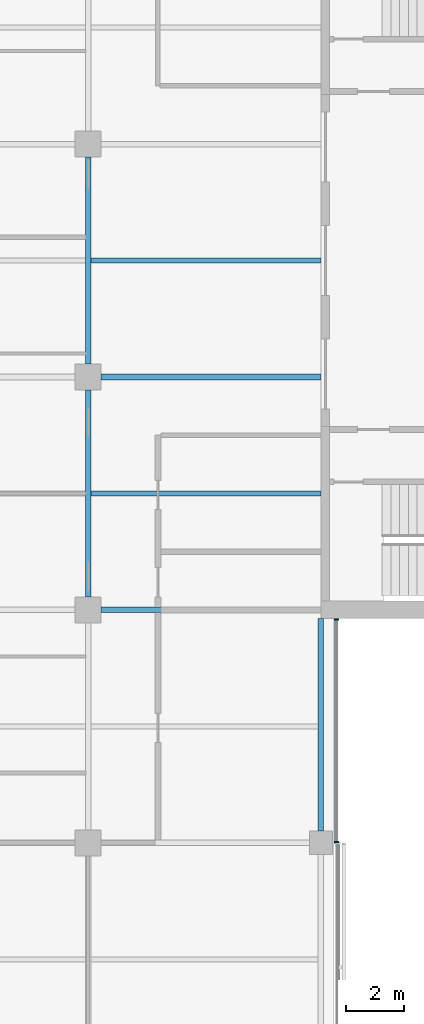
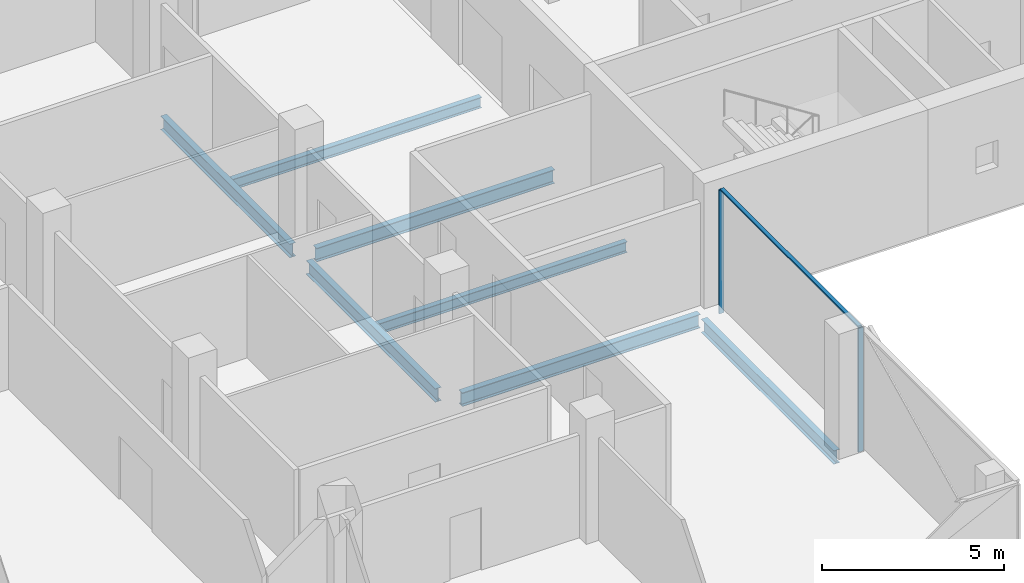
# One storey, part 4 of 15: 7 beams, 3 members, 1 element without a shape of its own.
"""IFC4 building model written with IfcOpenShell, lengths in metres."""

import ifcopenshell
import ifcopenshell.guid

model = None  # the IFC model being written
_history = None  # IfcOwnerHistory: only IFC2X3 demands one
_inside = {}  # id of a spatial element -> (the spatial element, [elements in it])
_under = {}  # id of a project, library or spatial element -> (it, [spatial elements below it])
_declared = {}  # id of a project -> (the project, [libraries it declares])
_typed = {}  # id of a type object -> (the type object, [elements of that type])
_made_of = {}  # id of a material, layer set ... -> (it, [elements and type objects made of it])


def new_model(schema):
    """Start an empty IFC model of exactly this schema.

    Asked for "IFC4X3", IfcOpenShell would pick the latest addendum, in which some entities
    have other attributes; the version numbers below select the first issue.
    IFC2X3 requires an IfcOwnerHistory on every rooted entity: one is made here for all.
    """
    global model, _history
    if schema == "IFC4X3":
        model = ifcopenshell.file(schema_version=(4, 3, 0, 0))
    else:
        model = ifcopenshell.file(schema=schema)
    _inside.clear()
    _under.clear()
    _declared.clear()
    _typed.clear()
    _made_of.clear()
    _history = None
    if model.schema == "IFC2X3":
        org = make("IfcOrganization", Name="unknown")
        user = make(
            "IfcPersonAndOrganization",
            ThePerson=make("IfcPerson", FamilyName="unknown"),
            TheOrganization=org,
        )
        app = make(
            "IfcApplication",
            ApplicationDeveloper=org,
            Version="unknown",
            ApplicationFullName="unknown",
            ApplicationIdentifier="unknown",
        )
        _history = make(
            "IfcOwnerHistory",
            OwningUser=user,
            OwningApplication=app,
            ChangeAction="ADDED",
            CreationDate=0,
        )
    return model


def make(cls, **values):
    """One entity of the class cls with the attributes given. An attribute that is None is left unset."""
    return model.create_entity(
        cls, **{name: value for name, value in values.items() if value is not None}
    )


def rooted(cls, **values):
    """An entity with a GlobalId (a new one), such as an element, a storey or a relation."""
    return make(cls, GlobalId=ifcopenshell.guid.new(), OwnerHistory=_history, **values)


def si_unit(unit_type, name, prefix=None):
    """IfcSIUnit, for example si_unit("LENGTHUNIT", "METRE", prefix="MILLI")."""
    return make("IfcSIUnit", UnitType=unit_type, Prefix=prefix, Name=name)


def assignment(units):
    """IfcUnitAssignment: the units of a project."""
    return None if units is None else make("IfcUnitAssignment", Units=units)


def point(xyz):
    """IfcCartesianPoint."""
    return None if xyz is None else make("IfcCartesianPoint", Coordinates=xyz)


def direction(xyz):
    """IfcDirection."""
    return None if xyz is None else make("IfcDirection", DirectionRatios=xyz)


def frame(location, z_axis=None, x_axis=None):
    """IfcAxis2Placement3D, a coordinate frame: its origin and axes. An axis left out is left unset."""
    return make(
        "IfcAxis2Placement3D",
        Location=point(location),
        Axis=direction(z_axis),
        RefDirection=direction(x_axis),
    )


def frame_2d(location, x_axis=None):
    """IfcAxis2Placement2D, a coordinate frame in the plane: its origin and x axis."""
    return make(
        "IfcAxis2Placement2D", Location=point(location), RefDirection=direction(x_axis)
    )


def origin():
    """The frame at (0, 0, 0) with its axes left unset."""
    return frame((0.0, 0.0, 0.0))


def origin_2d():
    """The frame at (0, 0) in the plane with its x axis left unset."""
    return frame_2d((0.0, 0.0))


def place(relative_to, where):
    """IfcLocalPlacement: puts the frame where relative to a parent placement (None: the world)."""
    return make(
        "IfcLocalPlacement", PlacementRelTo=relative_to, RelativePlacement=where
    )


def context(
    kind, dimensions, precision=None, world=None, true_north=None, identifier=None
):
    """IfcGeometricRepresentationContext, for example the 3D "Model" context."""
    return make(
        "IfcGeometricRepresentationContext",
        ContextIdentifier=identifier,
        ContextType=kind,
        CoordinateSpaceDimension=dimensions,
        Precision=precision,
        WorldCoordinateSystem=world,
        TrueNorth=true_north,
    )


def subcontext(parent, identifier, kind, view, scale=None):
    """IfcGeometricRepresentationSubContext, for example "Body" below "Model"."""
    return make(
        "IfcGeometricRepresentationSubContext",
        ContextIdentifier=identifier,
        ContextType=kind,
        ParentContext=parent,
        TargetScale=scale,
        TargetView=view,
    )


def project(units=None, contexts=None):
    """IfcProject with its units and contexts."""
    return rooted(
        "IfcProject",
        Name="project",
        RepresentationContexts=contexts,
        UnitsInContext=assignment(units),
    )


def spatial(cls, under=None, at=None, **own):
    """A site, building, storey or space (cls), placed at a placement, below another one or the project."""
    s = rooted(cls, ObjectPlacement=at, **own)
    if under is not None:
        _under.setdefault(under.id(), (under, []))[1].append(s)
    return s


def profile(cls, at=None, kind="AREA", **sizes):
    """A parametric profile (cls). Its sizes go by their IFC names, for example OverallWidth=200.0."""
    return make(cls, ProfileType=kind, Position=at, **sizes)


def rectangle(**sizes):
    """IfcRectangleProfileDef."""
    return profile("IfcRectangleProfileDef", **sizes)


def i_section(**sizes):
    """IfcIShapeProfileDef."""
    return profile("IfcIShapeProfileDef", **sizes)


def extrude(swept, where, along, depth):
    """IfcExtrudedAreaSolid: the profile swept, set in the frame where, extruded along a direction by depth."""
    return make(
        "IfcExtrudedAreaSolid",
        SweptArea=swept,
        Position=where,
        ExtrudedDirection=direction(along),
        Depth=depth,
    )


def shape(context_of_items, identifier, shape_type, items):
    """IfcShapeRepresentation: the items that make up one representation, for example the "Body"."""
    return make(
        "IfcShapeRepresentation",
        ContextOfItems=context_of_items,
        RepresentationIdentifier=identifier,
        RepresentationType=shape_type,
        Items=items,
    )


def material(Name=None, Category=None):
    """IfcMaterial."""
    return make("IfcMaterial", Name=Name, Category=Category)


def material_profile(
    of_material, cross_section, Name=None, Category=None, Priority=None
):
    """IfcMaterialProfile: a cross section and its material."""
    return make(
        "IfcMaterialProfile",
        Name=Name,
        Material=of_material,
        Profile=cross_section,
        Priority=Priority,
        Category=Category,
    )


def profile_set(profiles, Name=None, composite=None):
    """IfcMaterialProfileSet."""
    return make(
        "IfcMaterialProfileSet",
        Name=Name,
        MaterialProfiles=profiles,
        CompositeProfile=composite,
    )


def made_of(thing, what):
    """Note that an element or type object is made of a material, layer set ...; save() writes the relation."""
    if what is not None:
        _made_of.setdefault(what.id(), (what, []))[1].append(thing)
    return thing


def type_object(cls, material=None, **own):
    """A type object (cls), such as IfcWallType, which elements share."""
    return made_of(rooted(cls, **own), material)


def element(
    cls,
    number,
    at=None,
    inside=None,
    cuts=None,
    type_object=None,
    material=None,
    context=None,
    identifier="Body",
    shape_type=None,
    held_by="IfcProductDefinitionShape",
    body=None,
    shapes=None,
    **own,
):
    """One element of the class cls, such as IfcWall. Its Tag is "e" and its number.

    at: its placement. inside: the storey or other place that contains it. cuts: it is an
    opening in that element (IfcRelVoidsElement). A single representation is given by context,
    identifier, shape_type and body (its items); several are given by shapes. held_by: the class
    of the entity that holds the representations. save() writes the other relations.
    """
    e = rooted(cls, Tag="e%d" % number, ObjectPlacement=at, **own)
    if body is not None:
        shapes = [shape(context, identifier, shape_type, body)]
    if shapes is not None:
        e.Representation = make(held_by, Representations=shapes)
    if inside is not None:
        _inside.setdefault(inside.id(), (inside, []))[1].append(e)
    if cuts is not None:
        rooted(
            "IfcRelVoidsElement", RelatingBuildingElement=cuts, RelatedOpeningElement=e
        )
    if type_object is not None:
        _typed.setdefault(type_object.id(), (type_object, []))[1].append(e)
    return made_of(e, material)


def aggregate(whole, parts):
    """IfcRelAggregates: a whole, such as a stair, and the parts it consists of."""
    return rooted("IfcRelAggregates", RelatingObject=whole, RelatedObjects=parts)


def save(model, path):
    """Write the relations noted so far, then the file.

    IfcRelAggregates (storeys below a building ...), IfcRelContainedInSpatialStructure (elements
    in a storey), IfcRelDefinesByType, IfcRelAssociatesMaterial and IfcRelDeclares: one each for
    every whole, place, type object, material and project.
    """
    for whole, parts in _under.values():
        aggregate(whole, parts)
    for where, things in _inside.values():
        rooted(
            "IfcRelContainedInSpatialStructure",
            RelatedElements=things,
            RelatingStructure=where,
        )
    for kind, things in _typed.values():
        rooted("IfcRelDefinesByType", RelatedObjects=things, RelatingType=kind)
    for what, things in _made_of.values():
        rooted("IfcRelAssociatesMaterial", RelatedObjects=things, RelatingMaterial=what)
    for by, libraries in _declared.values():
        rooted("IfcRelDeclares", RelatingContext=by, RelatedDefinitions=libraries)
    model.write(path)


model = new_model("IFC4")

# Units and contexts
model_context = context("Model", 3, precision=1e-05, world=origin(), true_north=direction((0.0, 1.0)))
body_context = subcontext(model_context, "Body", "Model", "MODEL_VIEW")
ifc_project = project(units=[si_unit("LENGTHUNIT", "METRE"), si_unit("AREAUNIT", "SQUARE_METRE"), si_unit("VOLUMEUNIT", "CUBIC_METRE"), si_unit("PLANEANGLEUNIT", "RADIAN"), si_unit("MASSUNIT", "GRAM", prefix="KILO")], contexts=[model_context])

# Site, building, storey
site_placement = place(None, origin())
site = spatial("IfcSite", under=ifc_project, at=site_placement, CompositionType="ELEMENT")
building_placement = place(site_placement, origin())
building = spatial("IfcBuilding", under=site, at=building_placement, Name="Crosswind Convention Tower", CompositionType="ELEMENT")
storey_placement = place(building_placement, frame((0.0, 0.0, 191.5)))
storey = spatial("IfcBuildingStorey", under=building, at=storey_placement, Name="L40", CompositionType="ELEMENT", Elevation=191.5)

# Beams
ifc_material_1 = material(Name="Steel S355", Category="steel")
ifc_material_profile_1 = material_profile(ifc_material_1, i_section(OverallWidth=0.18994140625, OverallDepth=0.45361328125, WebThickness=0.008544921875, FlangeThickness=0.0126953125, FilletRadius=0.01025390625, at=origin_2d()), Name="UB 457x191x67")
ifc_profile_set_1 = profile_set([ifc_material_profile_1], Name="Steel S355")
beam_type_1 = type_object("IfcBeamType", Name="Edge beam UB 457x191x67", PredefinedType="SPANDREL", material=ifc_profile_set_1)
beam_placement = place(storey_placement, frame((137.0, 80.39990234375, -0.52685546875), z_axis=(0.0, 1.0, 0.0), x_axis=(-1.0, 0.0, 0.0)))
element("IfcBeam", 1, at=beam_placement, inside=storey, type_object=beam_type_1, Name="B16 L40 edge beam 12", PredefinedType="SPANDREL", context=body_context, shape_type="SweptSolid", body=[
    extrude(i_section(OverallWidth=0.18994140625, OverallDepth=0.45361328125, WebThickness=0.008544921875, FlangeThickness=0.0126953125, FilletRadius=0.01025390625, at=origin_2d()), origin(), (0.0, 0.0, 1.0), 7.300048828125),
])
ifc_material_profile_2 = material_profile(ifc_material_1, i_section(OverallWidth=0.1904296875, OverallDepth=0.457275390625, WebThickness=0.009033203125, FlangeThickness=0.014404296875, FilletRadius=0.01025390625, at=origin_2d()), Name="UB 457x191x75")
ifc_profile_set_2 = profile_set([ifc_material_profile_2], Name="Steel S355")
beam_type_2 = type_object("IfcBeamType", Name="Girder UB 457x191x75", PredefinedType="BEAM", material=ifc_profile_set_2)
for number, where, z_axis, x_axis, name in (
    (2, (129.0, 88.449951171875, -0.528564453125), (0.0, 1.0, 0.0), (-1.0, 0.0, 0.0), "B2 L40 girder 18"),
    (3, (129.0, 96.449951171875, -0.528564453125), (0.0, 1.0, 0.0), (-1.0, 0.0, 0.0), "B2 L40 girder 19"),
):
    element("IfcBeam", number, at=place(storey_placement, frame(where, z_axis=z_axis, x_axis=x_axis)), inside=storey, type_object=beam_type_2, Name=name, PredefinedType="BEAM", context=body_context, shape_type="SweptSolid", body=[
        extrude(i_section(OverallWidth=0.1904296875, OverallDepth=0.457275390625, WebThickness=0.009033203125, FlangeThickness=0.014404296875, FilletRadius=0.01025390625, at=origin_2d()), origin(), (0.0, 0.0, 1.0), 7.10009765625),
    ])
ifc_material_profile_3 = material_profile(ifc_material_1, i_section(OverallWidth=0.19140625, OverallDepth=0.460205078125, WebThickness=0.010009765625, FlangeThickness=0.01611328125, FilletRadius=0.01025390625, at=origin_2d()), Name="UB 457x191x82")
ifc_profile_set_3 = profile_set([ifc_material_profile_3], Name="Steel S355")
beam_type_3 = type_object("IfcBeamType", Name="Girder at core wall UB 457x191x82", PredefinedType="BEAM", material=ifc_profile_set_3)
for number, where, z_axis, x_axis, name in (
    (4, (129.449951171875, 88.0, -0.530029296875), (1.0, 0.0, 0.0), (0.0, 1.0, 0.0), "B23 L40 girder at core wall 5"),
    (5, (129.449951171875, 96.0, -0.530029296875), (1.0, 0.0, 0.0), (0.0, 1.0, 0.0), "B23 L40 girder at core wall 6"),
):
    element("IfcBeam", number, at=place(storey_placement, frame(where, z_axis=z_axis, x_axis=x_axis)), inside=storey, type_object=beam_type_3, Name=name, PredefinedType="BEAM", context=body_context, shape_type="SweptSolid", body=[
        extrude(i_section(OverallWidth=0.19140625, OverallDepth=0.460205078125, WebThickness=0.010009765625, FlangeThickness=0.01611328125, FilletRadius=0.01025390625, at=origin_2d()), origin(), (0.0, 0.0, 1.0), 7.550048828125),
    ])

# Curtain wall, members
ifc_material_2 = material(Name="Aluminium unitised curtain wall", Category="aluminium")
curtain_wall_type = type_object("IfcCurtainWallType", Name="CORE END SLOT WALL 160", PredefinedType="USERDEFINED", material=ifc_material_2)
curtain_wall_placement = place(storey_placement, origin())
curtain_wall = element("IfcCurtainWall", 6, at=curtain_wall_placement, inside=storey, type_object=curtain_wall_type, Name="CW6 L40 S-E.1-2 slot", ObjectType="UNITISED", PredefinedType="USERDEFINED")
ifc_material_3 = material(Name="Aluminium mullion", Category="aluminium")
ifc_material_profile_4 = material_profile(ifc_material_3, rectangle(XDim=0.159912109375, YDim=0.050048828125, at=origin_2d()), Name="AL 160X50")
ifc_profile_set_4 = profile_set([ifc_material_profile_4], Name="Aluminium mullion")
member_type_1 = type_object("IfcMemberType", Name="MULLION 50X160", PredefinedType="MULLION", material=ifc_profile_set_4)
member_1_placement = place(storey_placement, frame((137.530029296875, 80.02490234375, -0.300048828125), z_axis=(0.0, 0.0, 1.0), x_axis=(1.0, 0.0, 0.0)))
member_1 = element("IfcMember", 7, at=member_1_placement, type_object=member_type_1, Name="CW6 mullion 1", PredefinedType="MULLION", context=body_context, shape_type="SweptSolid", body=[
    extrude(rectangle(XDim=0.159912109375, YDim=0.050048828125, at=origin_2d()), origin(), (0.0, 0.0, 1.0), 4.150146484375),
])
member_2_placement = place(storey_placement, frame((137.530029296875, 87.675048828125, -0.300048828125), z_axis=(0.0, 0.0, 1.0), x_axis=(1.0, 0.0, 0.0)))
member_2 = element("IfcMember", 8, at=member_2_placement, type_object=member_type_1, Name="CW6 mullion 2", PredefinedType="MULLION", context=body_context, shape_type="SweptSolid", body=[
    extrude(rectangle(XDim=0.159912109375, YDim=0.050048828125, at=origin_2d()), origin(), (0.0, 0.0, 1.0), 4.150146484375),
])

# Beams
ifc_material_profile_5 = material_profile(ifc_material_1, i_section(OverallWidth=0.172119140625, OverallDepth=0.358642578125, WebThickness=0.008056640625, FlangeThickness=0.012939453125, FilletRadius=0.01025390625, at=origin_2d()), Name="UB 356x171x57")
ifc_profile_set_5 = profile_set([ifc_material_profile_5], Name="Steel S355")
beam_type_4 = type_object("IfcBeamType", Name="Secondary beam UB 356x171x57", PredefinedType="JOIST", material=ifc_profile_set_5)
for number, where, z_axis, x_axis, name in (
    (9, (129.09521484375, 92.0, -0.479248046875), (1.0, 0.0, 0.0), (0.0, 1.0, 0.0), "B9 L40 secondary beam 17"),
    (10, (129.09521484375, 100.0, -0.479248046875), (1.0, 0.0, 0.0), (0.0, 1.0, 0.0), "B9 L40 secondary beam 18"),
):
    element("IfcBeam", number, at=place(storey_placement, frame(where, z_axis=z_axis, x_axis=x_axis)), inside=storey, type_object=beam_type_4, Name=name, PredefinedType="JOIST", context=body_context, shape_type="SweptSolid", body=[
        extrude(i_section(OverallWidth=0.172119140625, OverallDepth=0.358642578125, WebThickness=0.008056640625, FlangeThickness=0.012939453125, FilletRadius=0.01025390625, at=origin_2d()), origin(), (0.0, 0.0, 1.0), 7.90478515625),
    ])

# Member
ifc_material_4 = material(Name="Aluminium transom", Category="aluminium")
ifc_material_profile_6 = material_profile(ifc_material_4, rectangle(XDim=0.1201171875, YDim=0.050048828125, at=origin_2d()), Name="AL 120X50")
ifc_profile_set_6 = profile_set([ifc_material_profile_6], Name="Aluminium transom")
member_type_2 = type_object("IfcMemberType", Name="TRANSOM 50X120", PredefinedType="USERDEFINED", material=ifc_profile_set_6)
member_3_placement = place(storey_placement, frame((137.530029296875, 80.050048828125, 3.875), z_axis=(0.0, 1.0, 0.0), x_axis=(-1.0, 0.0, 0.0)))
member_3 = element("IfcMember", 11, at=member_3_placement, type_object=member_type_2, Name="CW6 transom", ObjectType="TRANSOM", PredefinedType="USERDEFINED", context=body_context, shape_type="SweptSolid", body=[
    extrude(rectangle(XDim=0.1201171875, YDim=0.050048828125, at=origin_2d()), origin(), (0.0, 0.0, 1.0), 7.599853515625),
])

aggregate(curtain_wall, [member_1, member_2, member_3])

save(model, "model.ifc")
